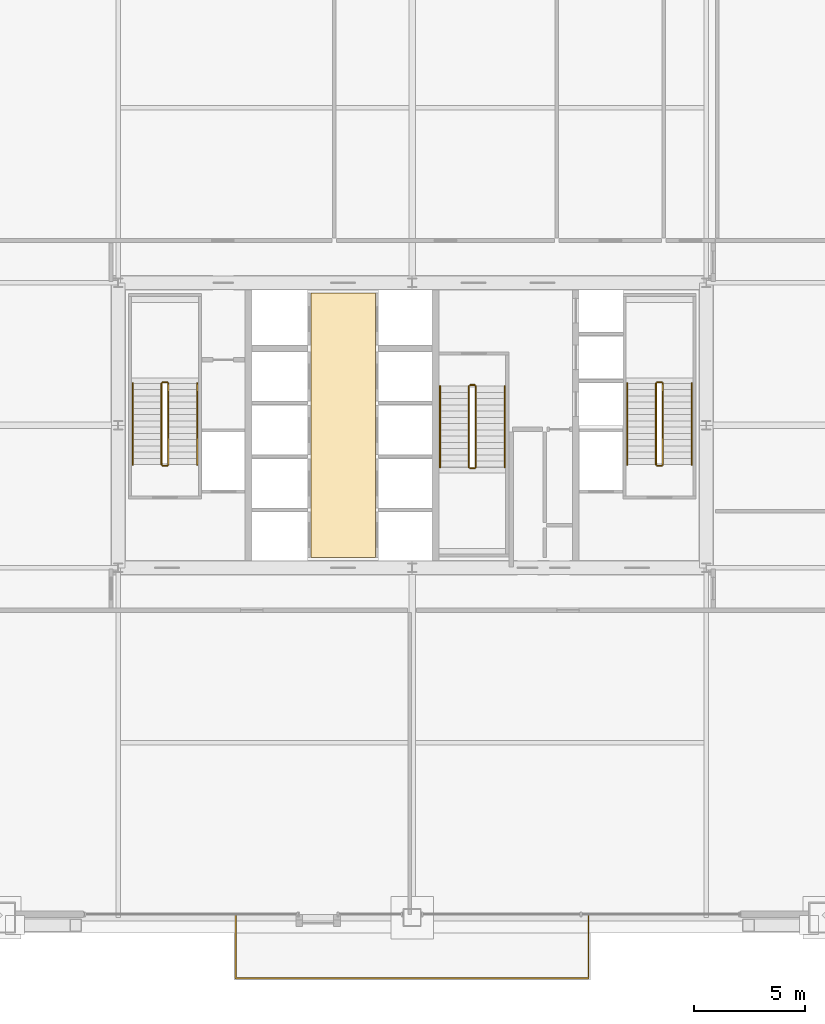
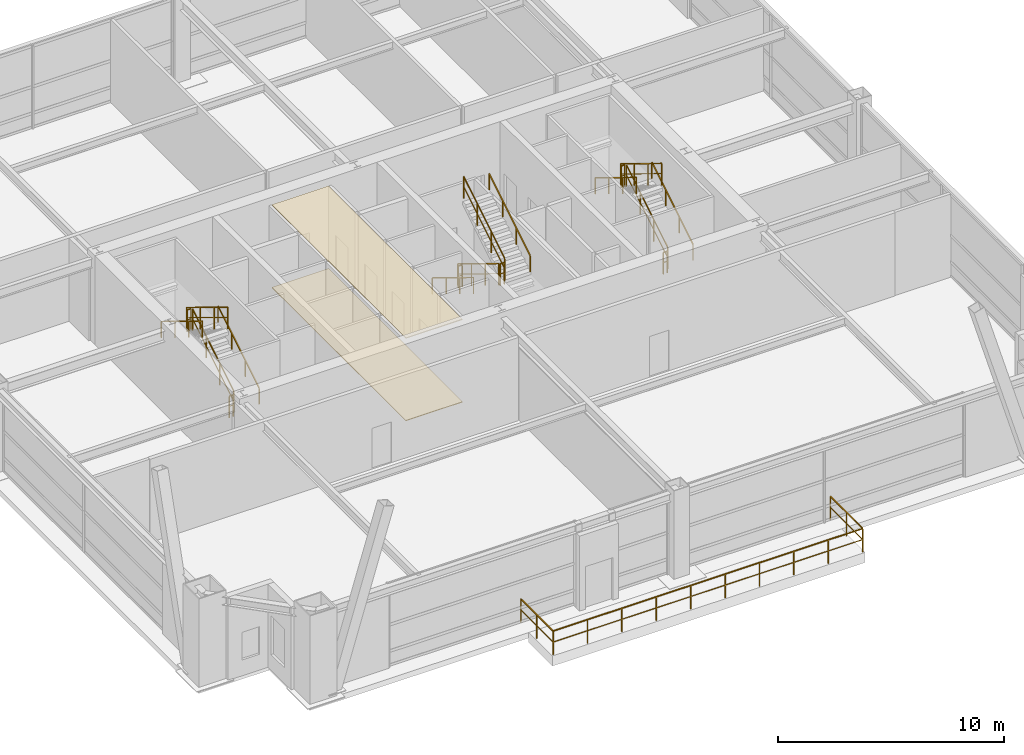
# One storey, part 34 of 34: 19 railings, 2 coverings.
"""IFC4 building model written with IfcOpenShell, lengths in metres."""

from ifc_helpers import new_model, si_unit, direction, frame, origin, origin_2d, place, context, subcontext, project, spatial, polyline, rectangle, outline, extrude, source, transform, mapped, material, layer, layer_set, type_object, element, save


model = new_model("IFC4")

# Units and contexts
model_context = context("Model", 3, precision=1e-05, world=origin(), true_north=direction((0.0, 1.0)))
body_context = subcontext(model_context, "Body", "Model", "MODEL_VIEW")
ifc_project = project(units=[si_unit("LENGTHUNIT", "METRE"), si_unit("AREAUNIT", "SQUARE_METRE"), si_unit("VOLUMEUNIT", "CUBIC_METRE"), si_unit("PLANEANGLEUNIT", "RADIAN"), si_unit("MASSUNIT", "GRAM", prefix="KILO"), si_unit("THERMODYNAMICTEMPERATUREUNIT", "KELVIN"), si_unit("POWERUNIT", "WATT")], contexts=[model_context])

# Site, building, storey
site_placement = place(None, origin())
site = spatial("IfcSite", under=ifc_project, at=site_placement, CompositionType="ELEMENT")
building_placement = place(site_placement, origin())
building = spatial("IfcBuilding", under=site, at=building_placement, Name="Yuzanri Waterfront Tower", CompositionType="ELEMENT")
storey_placement = place(building_placement, frame((0.0, 0.0, 166.800048828125)))
storey = spatial("IfcBuildingStorey", under=building, at=storey_placement, Name="L44", CompositionType="ELEMENT", Elevation=166.800048828125)

# Coverings
ifc_material_1 = material(Name="Anodized Architectural Bronze", Category="metal")
ifc_layer_1 = layer(ifc_material_1, 0.0400390625)
ifc_layer_set_1 = layer_set([ifc_layer_1], Name="Anodized Architectural Bronze")
covering_type_1 = type_object("IfcCoveringType", Name="Anodized Bronze Linear Baffle Lobby Ceiling 40", PredefinedType="CEILING", material=ifc_layer_set_1)
covering_1_placement = place(storey_placement, frame((0.0, 0.0, 4.4599609375)))
element("IfcCovering", 1, at=covering_1_placement, inside=storey, type_object=covering_type_1, Name="L44 Lift Lobby Bronze Baffle Ceiling", PredefinedType="CEILING", context=body_context, shape_type="SweptSolid", body=[
    extrude(outline(polyline([(32.449951171875, 19.860107421875), (35.35009765625, 19.860107421875), (35.35009765625, 31.739990234375), (32.449951171875, 31.739990234375), (32.449951171875, 19.860107421875)])), origin(), (0.0, 0.0, 1.0), 0.0400390625),
])
ifc_material_2 = material(Name="Honed Cream Limestone", Category="masonry")
ifc_layer_2 = layer(ifc_material_2, 0.034912109375)
ifc_layer_set_2 = layer_set([ifc_layer_2], Name="Honed Cream Limestone")
covering_type_2 = type_object("IfcCoveringType", Name="Honed Limestone Lobby Floor Finish 35", PredefinedType="FLOORING", material=ifc_layer_set_2)
covering_2_placement = place(storey_placement, origin())
element("IfcCovering", 2, at=covering_2_placement, inside=storey, type_object=covering_type_2, Name="L44 Lift Lobby Limestone Floor Finish", PredefinedType="FLOORING", context=body_context, shape_type="SweptSolid", body=[
    extrude(outline(polyline([(32.449951171875, 19.860107421875), (35.35009765625, 19.860107421875), (35.35009765625, 31.739990234375), (32.449951171875, 31.739990234375), (32.449951171875, 19.860107421875)])), origin(), (0.0, 0.0, 1.0), 0.034912109375),
])

# Railings
ifc_material_3 = material(Name="Triple Low-E Laminated Insulated Glass", Category="glass")
ifc_layer_3 = layer(ifc_material_3, 0.090087890625)
ifc_layer_set_3 = layer_set([ifc_layer_3], Name="Triple Low-E Laminated Insulated Glass")
railing_type_1 = type_object("IfcRailingType", Name="Infinity Sky-Pool Laminated Structural Glass Guard 1300", PredefinedType="GUARDRAIL", material=ifc_layer_set_3)
shared_shape_1 = source(origin(), body_context, "Body", "SweptSolid", [
    extrude(rectangle(XDim=0.050048828125, YDim=0.050048828125, at=origin_2d()), frame((0.0, 0.0, 1.27490234375), z_axis=(0.0, -1.0, 0.0), x_axis=(1.0, 0.0, 0.0)), (0.0, 0.0, 1.0), 2.8701171875),
    extrude(rectangle(XDim=0.035888671875, YDim=0.030029296875, at=origin_2d()), frame((0.0, 0.0, 0.676025390625), z_axis=(0.0, -1.0, 0.0), x_axis=(1.0, 0.0, 0.0)), (0.0, 0.0, 1.0), 2.8701171875),
    extrude(rectangle(XDim=0.050048828125, YDim=0.050048828125, at=origin_2d()), frame((0.0, -2.8701171875, 1.27490234375), z_axis=(1.0, 0.0, 0.0), x_axis=(0.0, 1.0, 0.0)), (0.0, 0.0, 1.0), 15.83984375),
    extrude(rectangle(XDim=0.035888671875, YDim=0.030029296875, at=origin_2d()), frame((0.0, -2.8701171875, 0.676025390625), z_axis=(1.0, 0.0, 0.0), x_axis=(0.0, 1.0, 0.0)), (0.0, 0.0, 1.0), 15.83984375),
    extrude(rectangle(XDim=0.050048828125, YDim=0.050048828125, at=origin_2d()), frame((15.83984375, -2.8701171875, 1.27490234375), z_axis=(0.0, 1.0, 0.0), x_axis=(-1.0, 0.0, 0.0)), (0.0, 0.0, 1.0), 2.8701171875),
    extrude(rectangle(XDim=0.035888671875, YDim=0.030029296875, at=origin_2d()), frame((15.83984375, -2.8701171875, 0.676025390625), z_axis=(0.0, 1.0, 0.0), x_axis=(-1.0, 0.0, 0.0)), (0.0, 0.0, 1.0), 2.8701171875),
    extrude(rectangle(XDim=0.0458984375, YDim=0.0458984375, at=origin_2d()), origin(), (0.0, 0.0, 1.0), 1.25),
    extrude(rectangle(XDim=0.0458984375, YDim=0.0458984375, at=origin_2d()), frame((0.0, -1.43505859375, 0.0)), (0.0, 0.0, 1.0), 1.25),
    extrude(rectangle(XDim=0.0458984375, YDim=0.0458984375, at=origin_2d()), frame((0.0, -2.8701171875, 0.0)), (0.0, 0.0, 1.0), 1.25),
    extrude(rectangle(XDim=0.0458984375, YDim=0.0458984375, at=origin_2d()), frame((1.760009765625, -2.8701171875, 0.0)), (0.0, 0.0, 1.0), 1.25),
    extrude(rectangle(XDim=0.0458984375, YDim=0.0458984375, at=origin_2d()), frame((3.52001953125, -2.8701171875, 0.0)), (0.0, 0.0, 1.0), 1.25),
    extrude(rectangle(XDim=0.0458984375, YDim=0.0458984375, at=origin_2d()), frame((5.280029296875, -2.8701171875, 0.0)), (0.0, 0.0, 1.0), 1.25),
    extrude(rectangle(XDim=0.0458984375, YDim=0.0458984375, at=origin_2d()), frame((7.0400390625, -2.8701171875, 0.0)), (0.0, 0.0, 1.0), 1.25),
    extrude(rectangle(XDim=0.0458984375, YDim=0.0458984375, at=origin_2d()), frame((8.7998046875, -2.8701171875, 0.0)), (0.0, 0.0, 1.0), 1.25),
    extrude(rectangle(XDim=0.0458984375, YDim=0.0458984375, at=origin_2d()), frame((10.559814453125, -2.8701171875, 0.0)), (0.0, 0.0, 1.0), 1.25),
    extrude(rectangle(XDim=0.0458984375, YDim=0.0458984375, at=origin_2d()), frame((12.31982421875, -2.8701171875, 0.0)), (0.0, 0.0, 1.0), 1.25),
    extrude(rectangle(XDim=0.0458984375, YDim=0.0458984375, at=origin_2d()), frame((14.079833984375, -2.8701171875, 0.0)), (0.0, 0.0, 1.0), 1.25),
    extrude(rectangle(XDim=0.0458984375, YDim=0.0458984375, at=origin_2d()), frame((15.83984375, -2.8701171875, 0.0)), (0.0, 0.0, 1.0), 1.25),
    extrude(rectangle(XDim=0.0458984375, YDim=0.0458984375, at=origin_2d()), frame((15.83984375, -1.43505859375, 0.0)), (0.0, 0.0, 1.0), 1.25),
    extrude(rectangle(XDim=0.0458984375, YDim=0.0458984375, at=origin_2d()), frame((15.83984375, 0.0, 0.0)), (0.0, 0.0, 1.0), 1.25),
])
railing_1_placement = place(storey_placement, frame((29.080078125, 3.85009765625, 0.0)))
element("IfcRailing", 3, at=railing_1_placement, inside=storey, type_object=railing_type_1, Name="L44 Infinity Sky-Pool Perimeter Structural Glass Guard", PredefinedType="GUARDRAIL", context=body_context, shape_type="MappedRepresentation", body=[
    mapped(shared_shape_1, transform((0.0, 0.0, 0.0), scale=1.0)),
])
ifc_material_4 = material(Name="Painted Galvanized Fire Steel", Category="steel")
ifc_layer_4 = layer(ifc_material_4, 0.06005859375)
ifc_layer_set_4 = layer_set([ifc_layer_4], Name="Painted Galvanized Fire Steel")
railing_type_2 = type_object("IfcRailingType", Name="Painted Steel Stairwell Guardrail 1120", PredefinedType="GUARDRAIL", material=ifc_layer_set_4)
shared_shape_2 = source(origin(), body_context, "Body", "SweptSolid", [
    extrude(rectangle(XDim=0.050048828125, YDim=0.050048828125, at=origin_2d()), frame((0.0, 0.0, 1.1748046875), z_axis=(-1.0, 0.0, 0.0), x_axis=(0.0, -1.0, 0.0)), (0.0, 0.0, 1.0), 0.199951171875),
    extrude(rectangle(XDim=0.035888671875, YDim=0.030029296875, at=origin_2d()), frame((0.0, 0.0, 0.6240234375), z_axis=(-1.0, 0.0, 0.0), x_axis=(0.0, -1.0, 0.0)), (0.0, 0.0, 1.0), 0.199951171875),
    extrude(rectangle(XDim=0.0458984375, YDim=0.0458984375, at=origin_2d()), origin(), (0.0, 0.0, 1.0), 1.14990234375),
    extrude(rectangle(XDim=0.0458984375, YDim=0.0458984375, at=origin_2d()), frame((-0.199951171875, 0.0, 0.0)), (0.0, 0.0, 1.0), 1.14990234375),
])
for number, where, name in (
    (4, (26.0, 27.72998046875, 2.39990234375), "L44 ST-01 stair guard 2"),
    (5, (26.0, 23.989990234375, 0.0), "L44 ST-01 stair guard 4"),
    (6, (48.199951171875, 27.72998046875, 2.39990234375), "L44 ST-02 stair guard 2"),
    (7, (48.199951171875, 23.989990234375, 0.0), "L44 ST-02 stair guard 4"),
):
    element("IfcRailing", number, at=place(storey_placement, frame(where)), inside=storey, type_object=railing_type_2, Name=name, PredefinedType="GUARDRAIL", context=body_context, shape_type="MappedRepresentation", body=[
        mapped(shared_shape_2, transform((0.0, 0.0, 0.0), scale=1.0)),
    ])
shared_shape_3 = source(origin(), body_context, "Body", "SweptSolid", [
    extrude(rectangle(XDim=0.050048828125, YDim=0.050048828125, at=origin_2d()), frame((0.0, 0.0, 1.1748046875), z_axis=(0.0, 0.852850264322, 0.5221555579), x_axis=(-1.0, 0.0, 0.0)), (0.0, 0.0, 1.0), 4.267822265625),
    extrude(rectangle(XDim=0.035888671875, YDim=0.030029296875, at=origin_2d()), frame((0.0, 0.0, 0.6240234375), z_axis=(0.0, 0.852850264322, 0.5221555579), x_axis=(-1.0, 0.0, 0.0)), (0.0, 0.0, 1.0), 4.267822265625),
    extrude(rectangle(XDim=0.0458984375, YDim=0.0458984375, at=origin_2d()), origin(), (0.0, 0.0, 1.0), 1.14990234375),
    extrude(rectangle(XDim=0.0458984375, YDim=0.0458984375, at=origin_2d()), frame((0.0, 1.21337890625, 0.742919921875)), (0.0, 0.0, 1.0), 1.14990234375),
    extrude(rectangle(XDim=0.0458984375, YDim=0.0458984375, at=origin_2d()), frame((0.0, 2.426513671875, 1.485595703125)), (0.0, 0.0, 1.0), 1.14990234375),
    extrude(rectangle(XDim=0.0458984375, YDim=0.0458984375, at=origin_2d()), frame((0.0, 3.639892578125, 2.228515625)), (0.0, 0.0, 1.0), 1.14990234375),
])
for number, where, name in (
    (8, (26.050048828125, 24.0400390625, 0.17138671875), "L44 ST-01 stair guard 1"),
    (9, (48.25, 24.0400390625, 0.17138671875), "L44 ST-02 stair guard 1"),
):
    element("IfcRailing", number, at=place(storey_placement, frame(where)), inside=storey, type_object=railing_type_2, Name=name, PredefinedType="GUARDRAIL", context=body_context, shape_type="MappedRepresentation", body=[
        mapped(shared_shape_3, transform((0.0, 0.0, 0.0), scale=1.0)),
    ])
ifc_material_5 = material(Name="Anodized Architectural Bronze", Category="metal")
ifc_layer_5 = layer(ifc_material_5, 0.050048828125)
ifc_layer_set_5 = layer_set([ifc_layer_5], Name="Anodized Architectural Bronze")
railing_type_3 = type_object("IfcRailingType", Name="Brushed Bronze Stair Pitch Handrail 920", PredefinedType="HANDRAIL", material=ifc_layer_set_5)
shared_shape_4 = source(origin(), body_context, "Body", "SweptSolid", [
    extrude(rectangle(XDim=0.050048828125, YDim=0.050048828125, at=origin_2d()), frame((0.0, 0.0, 0.875), z_axis=(0.0, 0.852850264322, 0.5221555579), x_axis=(-1.0, 0.0, 0.0)), (0.0, 0.0, 1.0), 4.267822265625),
    extrude(rectangle(XDim=0.0458984375, YDim=0.0458984375, at=origin_2d()), origin(), (0.0, 0.0, 1.0), 0.849853515625),
    extrude(rectangle(XDim=0.0458984375, YDim=0.0458984375, at=origin_2d()), frame((0.0, 1.21337890625, 0.742919921875)), (0.0, 0.0, 1.0), 0.849853515625),
    extrude(rectangle(XDim=0.0458984375, YDim=0.0458984375, at=origin_2d()), frame((0.0, 2.426513671875, 1.485595703125)), (0.0, 0.0, 1.0), 0.849853515625),
    extrude(rectangle(XDim=0.0458984375, YDim=0.0458984375, at=origin_2d()), frame((0.0, 3.639892578125, 2.228515625)), (0.0, 0.0, 1.0), 0.849853515625),
])
for number, where, name in (
    (10, (27.35009765625, 24.0400390625, 0.17138671875), "L44 ST-01 stair handrail 1"),
    (11, (49.550048828125, 24.0400390625, 0.17138671875), "L44 ST-02 stair handrail 1"),
):
    element("IfcRailing", number, at=place(storey_placement, frame(where)), inside=storey, type_object=railing_type_3, Name=name, PredefinedType="HANDRAIL", context=body_context, shape_type="MappedRepresentation", body=[
        mapped(shared_shape_4, transform((0.0, 0.0, 0.0), scale=1.0)),
    ])
shared_shape_5 = source(origin(), body_context, "Body", "SweptSolid", [
    extrude(rectangle(XDim=0.050048828125, YDim=0.050048828125, at=origin_2d()), frame((0.0, 0.0, 1.1748046875), z_axis=(0.0, -0.852824790078, 0.522197163366), x_axis=(1.0, 0.0, 0.0)), (0.0, 0.0, 1.0), 4.26806640625),
    extrude(rectangle(XDim=0.035888671875, YDim=0.030029296875, at=origin_2d()), frame((0.0, 0.0, 0.6240234375), z_axis=(0.0, -0.852824790078, 0.522197163366), x_axis=(1.0, 0.0, 0.0)), (0.0, 0.0, 1.0), 4.26806640625),
    extrude(rectangle(XDim=0.0458984375, YDim=0.0458984375, at=origin_2d()), origin(), (0.0, 0.0, 1.0), 1.14990234375),
    extrude(rectangle(XDim=0.0458984375, YDim=0.0458984375, at=origin_2d()), frame((0.0, -1.21337890625, 0.742919921875)), (0.0, 0.0, 1.0), 1.14990234375),
    extrude(rectangle(XDim=0.0458984375, YDim=0.0458984375, at=origin_2d()), frame((0.0, -2.426513671875, 1.48583984375)), (0.0, 0.0, 1.0), 1.14990234375),
    extrude(rectangle(XDim=0.0458984375, YDim=0.0458984375, at=origin_2d()), frame((0.0, -3.639892578125, 2.228759765625)), (0.0, 0.0, 1.0), 1.14990234375),
])
for number, where, name in (
    (12, (25.75, 27.679931640625, 2.5712890625), "L44 ST-01 stair guard 3"),
    (13, (47.949951171875, 27.679931640625, 2.5712890625), "L44 ST-02 stair guard 3"),
):
    element("IfcRailing", number, at=place(storey_placement, frame(where)), inside=storey, type_object=railing_type_2, Name=name, PredefinedType="GUARDRAIL", context=body_context, shape_type="MappedRepresentation", body=[
        mapped(shared_shape_5, transform((0.0, 0.0, 0.0), scale=1.0)),
    ])
shared_shape_6 = source(origin(), body_context, "Body", "SweptSolid", [
    extrude(rectangle(XDim=0.050048828125, YDim=0.050048828125, at=origin_2d()), frame((0.0, 0.0, 0.875), z_axis=(0.0, -0.852824790078, 0.522197163366), x_axis=(1.0, 0.0, 0.0)), (0.0, 0.0, 1.0), 4.26806640625),
    extrude(rectangle(XDim=0.0458984375, YDim=0.0458984375, at=origin_2d()), origin(), (0.0, 0.0, 1.0), 0.849853515625),
    extrude(rectangle(XDim=0.0458984375, YDim=0.0458984375, at=origin_2d()), frame((0.0, -1.21337890625, 0.742919921875)), (0.0, 0.0, 1.0), 0.849853515625),
    extrude(rectangle(XDim=0.0458984375, YDim=0.0458984375, at=origin_2d()), frame((0.0, -2.426513671875, 1.48583984375)), (0.0, 0.0, 1.0), 0.849853515625),
    extrude(rectangle(XDim=0.0458984375, YDim=0.0458984375, at=origin_2d()), frame((0.0, -3.639892578125, 2.228759765625)), (0.0, 0.0, 1.0), 0.849853515625),
])
for number, where, name in (
    (14, (24.449951171875, 27.679931640625, 2.5712890625), "L44 ST-01 stair handrail 2"),
    (15, (46.64990234375, 27.679931640625, 2.5712890625), "L44 ST-02 stair handrail 2"),
):
    element("IfcRailing", number, at=place(storey_placement, frame(where)), inside=storey, type_object=railing_type_3, Name=name, PredefinedType="HANDRAIL", context=body_context, shape_type="MappedRepresentation", body=[
        mapped(shared_shape_6, transform((0.0, 0.0, 0.0), scale=1.0)),
    ])
shared_shape_7 = source(origin(), body_context, "Body", "SweptSolid", [
    extrude(rectangle(XDim=0.050048828125, YDim=0.050048828125, at=origin_2d()), frame((0.0, 0.0, 1.1748046875), z_axis=(1.0, 0.0, 0.0), x_axis=(0.0, 1.0, 0.0)), (0.0, 0.0, 1.0), 0.199951171875),
    extrude(rectangle(XDim=0.035888671875, YDim=0.030029296875, at=origin_2d()), frame((0.0, 0.0, 0.6240234375), z_axis=(1.0, 0.0, 0.0), x_axis=(0.0, 1.0, 0.0)), (0.0, 0.0, 1.0), 0.199951171875),
    extrude(rectangle(XDim=0.0458984375, YDim=0.0458984375, at=origin_2d()), origin(), (0.0, 0.0, 1.0), 1.14990234375),
    extrude(rectangle(XDim=0.0458984375, YDim=0.0458984375, at=origin_2d()), frame((0.199951171875, 0.0, 0.0)), (0.0, 0.0, 1.0), 1.14990234375),
])
for number, where, name in (
    (16, (39.60009765625, 23.8701171875, 2.39990234375), "L44 ST-03 stair guard 2"),
    (17, (39.60009765625, 27.610107421875, 0.0), "L44 ST-03 stair guard 4"),
):
    element("IfcRailing", number, at=place(storey_placement, frame(where)), inside=storey, type_object=railing_type_2, Name=name, PredefinedType="GUARDRAIL", context=body_context, shape_type="MappedRepresentation", body=[
        mapped(shared_shape_7, transform((0.0, 0.0, 0.0), scale=1.0)),
    ])
shared_shape_8 = source(origin(), body_context, "Body", "SweptSolid", [
    extrude(rectangle(XDim=0.050048828125, YDim=0.050048828125, at=origin_2d()), frame((0.0, 0.0, 1.1748046875), z_axis=(0.0, -0.852865859571, 0.52213008492), x_axis=(1.0, 0.0, 0.0)), (0.0, 0.0, 1.0), 4.26806640625),
    extrude(rectangle(XDim=0.035888671875, YDim=0.030029296875, at=origin_2d()), frame((0.0, 0.0, 0.6240234375), z_axis=(0.0, -0.852865859571, 0.52213008492), x_axis=(1.0, 0.0, 0.0)), (0.0, 0.0, 1.0), 4.26806640625),
    extrude(rectangle(XDim=0.0458984375, YDim=0.0458984375, at=origin_2d()), origin(), (0.0, 0.0, 1.0), 1.14990234375),
    extrude(rectangle(XDim=0.0458984375, YDim=0.0458984375, at=origin_2d()), frame((0.0, -1.21337890625, 0.742919921875)), (0.0, 0.0, 1.0), 1.14990234375),
    extrude(rectangle(XDim=0.0458984375, YDim=0.0458984375, at=origin_2d()), frame((0.0, -2.4267578125, 1.485595703125)), (0.0, 0.0, 1.0), 1.14990234375),
    extrude(rectangle(XDim=0.0458984375, YDim=0.0458984375, at=origin_2d()), frame((0.0, -3.64013671875, 2.228515625)), (0.0, 0.0, 1.0), 1.14990234375),
])
railing_2_placement = place(storey_placement, frame((39.550048828125, 27.56005859375, 0.17138671875)))
element("IfcRailing", 18, at=railing_2_placement, inside=storey, type_object=railing_type_2, Name="L44 ST-03 stair guard 1", PredefinedType="GUARDRAIL", context=body_context, shape_type="MappedRepresentation", body=[
    mapped(shared_shape_8, transform((0.0, 0.0, 0.0), scale=1.0)),
])
shared_shape_9 = source(origin(), body_context, "Body", "SweptSolid", [
    extrude(rectangle(XDim=0.050048828125, YDim=0.050048828125, at=origin_2d()), frame((0.0, 0.0, 0.875), z_axis=(0.0, -0.852865859571, 0.52213008492), x_axis=(1.0, 0.0, 0.0)), (0.0, 0.0, 1.0), 4.26806640625),
    extrude(rectangle(XDim=0.0458984375, YDim=0.0458984375, at=origin_2d()), origin(), (0.0, 0.0, 1.0), 0.849853515625),
    extrude(rectangle(XDim=0.0458984375, YDim=0.0458984375, at=origin_2d()), frame((0.0, -1.21337890625, 0.742919921875)), (0.0, 0.0, 1.0), 0.849853515625),
    extrude(rectangle(XDim=0.0458984375, YDim=0.0458984375, at=origin_2d()), frame((0.0, -2.4267578125, 1.485595703125)), (0.0, 0.0, 1.0), 0.849853515625),
    extrude(rectangle(XDim=0.0458984375, YDim=0.0458984375, at=origin_2d()), frame((0.0, -3.64013671875, 2.228515625)), (0.0, 0.0, 1.0), 0.849853515625),
])
railing_3_placement = place(storey_placement, frame((38.25, 27.56005859375, 0.17138671875)))
element("IfcRailing", 19, at=railing_3_placement, inside=storey, type_object=railing_type_3, Name="L44 ST-03 stair handrail 1", PredefinedType="HANDRAIL", context=body_context, shape_type="MappedRepresentation", body=[
    mapped(shared_shape_9, transform((0.0, 0.0, 0.0), scale=1.0)),
])
shared_shape_10 = source(origin(), body_context, "Body", "SweptSolid", [
    extrude(rectangle(XDim=0.050048828125, YDim=0.050048828125, at=origin_2d()), frame((0.0, 0.0, 1.1748046875), z_axis=(0.0, 0.852840387347, 0.522171689878), x_axis=(-1.0, 0.0, 0.0)), (0.0, 0.0, 1.0), 4.268310546875),
    extrude(rectangle(XDim=0.035888671875, YDim=0.030029296875, at=origin_2d()), frame((0.0, 0.0, 0.6240234375), z_axis=(0.0, 0.852840387347, 0.522171689878), x_axis=(-1.0, 0.0, 0.0)), (0.0, 0.0, 1.0), 4.268310546875),
    extrude(rectangle(XDim=0.0458984375, YDim=0.0458984375, at=origin_2d()), origin(), (0.0, 0.0, 1.0), 1.14990234375),
    extrude(rectangle(XDim=0.0458984375, YDim=0.0458984375, at=origin_2d()), frame((0.0, 1.21337890625, 0.742919921875)), (0.0, 0.0, 1.0), 1.14990234375),
    extrude(rectangle(XDim=0.0458984375, YDim=0.0458984375, at=origin_2d()), frame((0.0, 2.4267578125, 1.48583984375)), (0.0, 0.0, 1.0), 1.14990234375),
    extrude(rectangle(XDim=0.0458984375, YDim=0.0458984375, at=origin_2d()), frame((0.0, 3.64013671875, 2.228759765625)), (0.0, 0.0, 1.0), 1.14990234375),
])
railing_4_placement = place(storey_placement, frame((39.85009765625, 23.919921875, 2.5712890625)))
element("IfcRailing", 20, at=railing_4_placement, inside=storey, type_object=railing_type_2, Name="L44 ST-03 stair guard 3", PredefinedType="GUARDRAIL", context=body_context, shape_type="MappedRepresentation", body=[
    mapped(shared_shape_10, transform((0.0, 0.0, 0.0), scale=1.0)),
])
shared_shape_11 = source(origin(), body_context, "Body", "SweptSolid", [
    extrude(rectangle(XDim=0.050048828125, YDim=0.050048828125, at=origin_2d()), frame((0.0, 0.0, 0.875), z_axis=(0.0, 0.852840387347, 0.522171689878), x_axis=(-1.0, 0.0, 0.0)), (0.0, 0.0, 1.0), 4.268310546875),
    extrude(rectangle(XDim=0.0458984375, YDim=0.0458984375, at=origin_2d()), origin(), (0.0, 0.0, 1.0), 0.849853515625),
    extrude(rectangle(XDim=0.0458984375, YDim=0.0458984375, at=origin_2d()), frame((0.0, 1.21337890625, 0.742919921875)), (0.0, 0.0, 1.0), 0.849853515625),
    extrude(rectangle(XDim=0.0458984375, YDim=0.0458984375, at=origin_2d()), frame((0.0, 2.4267578125, 1.48583984375)), (0.0, 0.0, 1.0), 0.849853515625),
    extrude(rectangle(XDim=0.0458984375, YDim=0.0458984375, at=origin_2d()), frame((0.0, 3.64013671875, 2.228759765625)), (0.0, 0.0, 1.0), 0.849853515625),
])
railing_5_placement = place(storey_placement, frame((41.14990234375, 23.919921875, 2.5712890625)))
element("IfcRailing", 21, at=railing_5_placement, inside=storey, type_object=railing_type_3, Name="L44 ST-03 stair handrail 2", PredefinedType="HANDRAIL", context=body_context, shape_type="MappedRepresentation", body=[
    mapped(shared_shape_11, transform((0.0, 0.0, 0.0), scale=1.0)),
])

save(model, "model.ifc")
